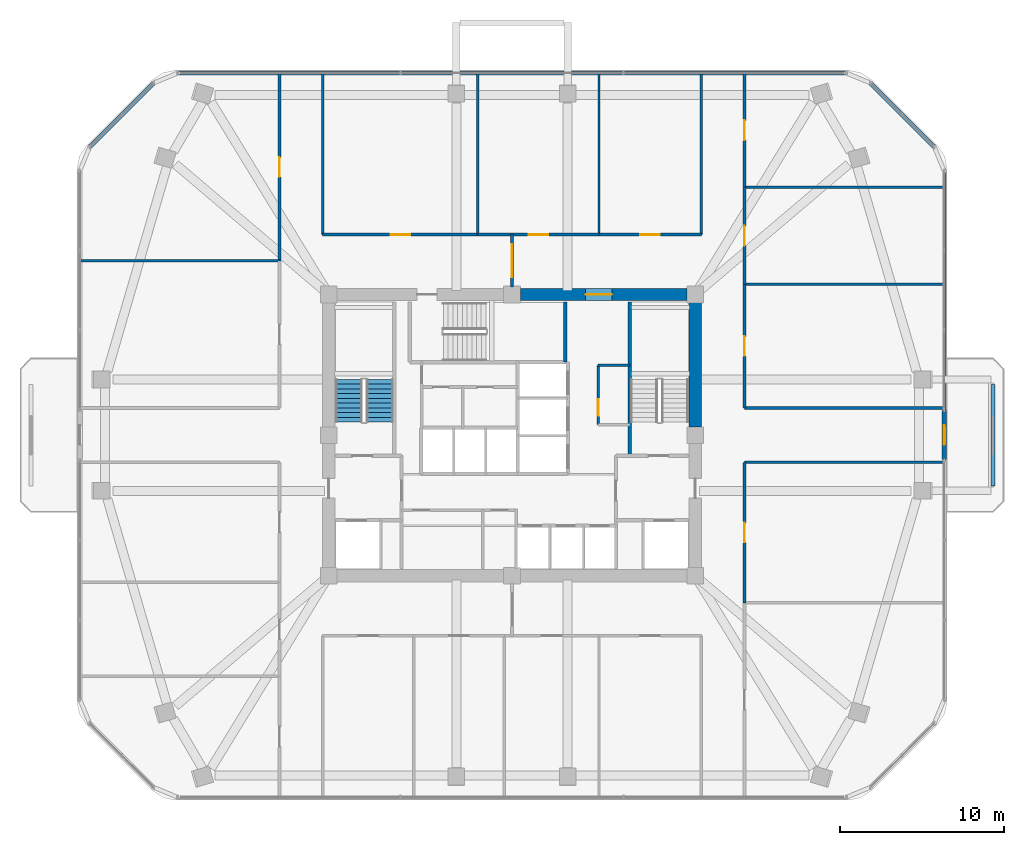
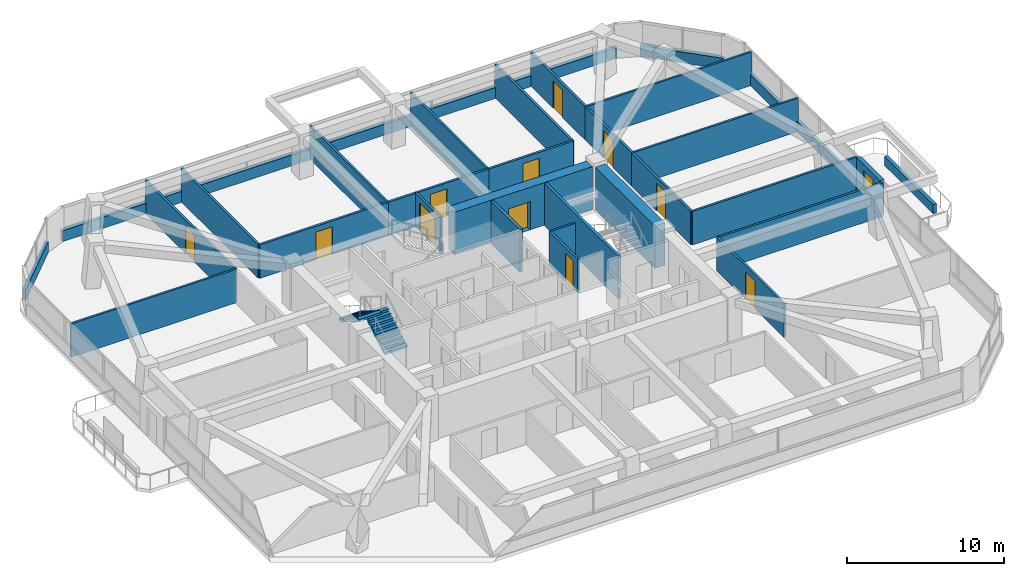
# One storey, part 12 of 15: 30 walls, 12 doors, 2 stair flights, 12 openings, 1 element without a shape of its own.
"""IFC4 building model written with IfcOpenShell, lengths in metres."""

from ifc_helpers import new_model, si_unit, derived_unit, direction, frame, frame_2d, origin, place, context, subcontext, project, spatial, polyline, rectangle, outline, extrude, material, layer, layer_set, type_object, element, fill, aggregate, save


model = new_model("IFC4")

# Units and contexts
model_context = context("Model", 3, precision=1e-05, world=origin(), true_north=direction((0.0, 1.0)))
body_context = subcontext(model_context, "Body", "Model", "MODEL_VIEW")
ifc_project = project(units=[si_unit("LENGTHUNIT", "METRE"), si_unit("AREAUNIT", "SQUARE_METRE"), si_unit("VOLUMEUNIT", "CUBIC_METRE"), si_unit("PLANEANGLEUNIT", "RADIAN"), si_unit("MASSUNIT", "GRAM", prefix="KILO"), derived_unit("THERMALTRANSMITTANCEUNIT", [(si_unit("POWERUNIT", "WATT"), 1), (si_unit("LENGTHUNIT", "METRE"), -2), (si_unit("THERMODYNAMICTEMPERATUREUNIT", "KELVIN"), -1)])], contexts=[model_context])

# Site, building, storey
site_placement = place(None, origin())
site = spatial("IfcSite", under=ifc_project, at=site_placement, CompositionType="ELEMENT")
building_placement = place(site_placement, origin())
building = spatial("IfcBuilding", under=site, at=building_placement, Name="Koralith Skygarden Medical Center", CompositionType="ELEMENT")
storey_placement = place(building_placement, frame((0.0, 0.0, 91.97998046875)))
storey = spatial("IfcBuildingStorey", under=building, at=storey_placement, Name="L23", CompositionType="ELEMENT", Elevation=91.97998046875)

# Wall, opening, door
ifc_material_1 = material(Name="Gypsum Board Partition")
ifc_layer_1 = layer(ifc_material_1, 0.14990234375)
ifc_layer_set_1 = layer_set([ifc_layer_1], Name="Gypsum Board Partition")
wall_type_1 = type_object("IfcWallType", Name="Clinical Acoustic Partition 150", PredefinedType="PARTITIONING", material=ifc_layer_set_1)
wall_1_placement = place(storey_placement, frame((42.27001953125, 26.5400390625, 0.0), z_axis=(0.0, 0.0, 1.0), x_axis=(0.0, 1.0, 0.0)))
wall_1 = element("IfcWall", 1, at=wall_1_placement, inside=storey, type_object=wall_type_1, Name="L23 Clinical Acoustic Partition 150 W-CORE-L23-ESUB-W", PredefinedType="PARTITIONING", context=body_context, shape_type="SweptSolid", body=[
    extrude(rectangle(XDim=3.619873046875, YDim=0.14990234375, at=frame_2d((1.81005859375, 0.0))), origin(), (0.0, 0.0, 1.0), 2.610107421875),
])
opening_1_placement = place(wall_1_placement, frame((0.550048828125, 0.0, 0.0)))
opening_1 = element("IfcOpeningElement", 2, at=opening_1_placement, cuts=wall_1, Name="Opening D-SUP", PredefinedType="OPENING", context=body_context, shape_type="SweptSolid", body=[
    extrude(rectangle(XDim=1.0, YDim=2.14990234375, at=frame_2d((0.5, 1.074951171875))), frame((0.0, 0.0849609375, 0.0), z_axis=(0.0, -1.0, 0.0), x_axis=(1.0, 0.0, 0.0)), (0.0, 0.0, 1.0), 0.169921875),
])
ifc_material_2 = material(Name="Aluminium 6063-T6", Category="aluminium")
door_type_1 = type_object("IfcDoorType", Name="Clinical Support Door D-SUP 1000", OperationType="NOTDEFINED", PredefinedType="DOOR", material=ifc_material_2)
door_1_placement = place(opening_1_placement, origin())
door_1 = element("IfcDoor", 3, at=door_1_placement, inside=storey, type_object=door_type_1, Name="L23 Core Equipment Store Door", OperationType="SINGLE_SWING_LEFT", OverallHeight=2.14990234375, OverallWidth=1.0, PredefinedType="DOOR", context=body_context, shape_type="SweptSolid", body=[
    extrude(rectangle(XDim=1.0, YDim=2.14990234375, at=frame_2d((0.5, 1.074951171875))), frame((0.0, 0.02490234375, 0.0), z_axis=(0.0, -1.0, 0.0), x_axis=(1.0, 0.0, 0.0)), (0.0, 0.0, 1.0), 0.050048828125),
])
fill(opening_1, door_1)

# Walls
wall_2_placement = place(storey_placement, frame((42.27001953125, 30.159912109375, 0.0), z_axis=(0.0, 0.0, 1.0), x_axis=(1.0, 0.0, 0.0)))
element("IfcWall", 4, at=wall_2_placement, inside=storey, type_object=wall_type_1, Name="L23 Clinical Acoustic Partition 150 W-CORE-L23-ESUB-N", PredefinedType="PARTITIONING", context=body_context, shape_type="SweptSolid", body=[
    extrude(rectangle(XDim=1.929931640625, YDim=0.14990234375, at=frame_2d((0.96484375, 0.0))), origin(), (0.0, 0.0, 1.0), 2.610107421875),
])
for number, where, z_axis, x_axis, name in (
    (5, (34.9189453125, 38.159912109375, 0.0), (0.0, 0.0, 1.0), (0.0, 1.0, 0.0), "L23 Clinical Acoustic Partition 150 W-PART-L23-N-01"),
    (6, (42.318115234375, 38.159912109375, 0.0), (0.0, 0.0, 1.0), (0.0, 1.0, 0.0), "L23 Clinical Acoustic Partition 150 W-PART-L23-N-02"),
):
    element("IfcWall", number, at=place(storey_placement, frame(where, z_axis=z_axis, x_axis=x_axis)), inside=storey, type_object=wall_type_1, Name=name, PredefinedType="PARTITIONING", context=body_context, shape_type="SweptSolid", body=[
        extrude(rectangle(XDim=9.85107421875, YDim=0.14990234375, at=frame_2d((4.925537109375, 0.0))), origin(), (0.0, 0.0, 1.0), 2.610107421875),
    ])
for number, where, z_axis, x_axis, name in (
    (7, (22.7900390625, 36.55810546875, 0.0), (0.0, 0.0, 1.0), (-1.0, 0.0, 0.0), "L23 Clinical Acoustic Partition 150 W-PART-L23-WN-01"),
    (8, (51.2099609375, 35.118896484375, 0.0), (0.0, 0.0, 1.0), (1.0, 0.0, 0.0), "L23 Clinical Acoustic Partition 150 W-PART-L23-EN-01"),
    (9, (51.2099609375, 41.05810546875, 0.0), (0.0, 0.0, 1.0), (1.0, 0.0, 0.0), "L23 Clinical Acoustic Partition 150 W-PART-L23-EN-02"),
):
    element("IfcWall", number, at=place(storey_placement, frame(where, z_axis=z_axis, x_axis=x_axis)), inside=storey, type_object=wall_type_1, Name=name, PredefinedType="PARTITIONING", context=body_context, shape_type="SweptSolid", body=[
        extrude(rectangle(XDim=12.18798828125, YDim=0.14990234375, at=frame_2d((6.093994140625, 0.0))), origin(), (0.0, 0.0, 1.0), 2.610107421875),
    ])
ifc_layer_2 = layer(ifc_material_1, 0.1650390625)
ifc_layer_set_2 = layer_set([ifc_layer_2], Name="Gypsum Board Partition")
wall_type_2 = type_object("IfcWallType", Name="Clinical Corridor Partition 165", PredefinedType="PARTITIONING", material=ifc_layer_set_2)
for number, where, z_axis, x_axis, name in (
    (10, (25.429931640625, 38.159912109375, 0.0), (0.0, 0.0, 1.0), (0.0, 1.0, 0.0), "L23 Clinical Corridor Partition 165 W-HCOR-L23-NW"),
    (11, (48.570068359375, 38.159912109375, 0.0), (0.0, 0.0, 1.0), (0.0, 1.0, 0.0), "L23 Clinical Corridor Partition 165 W-HCOR-L23-NE"),
):
    element("IfcWall", number, at=place(storey_placement, frame(where, z_axis=z_axis, x_axis=x_axis)), inside=storey, type_object=wall_type_2, Name=name, PredefinedType="PARTITIONING", context=body_context, shape_type="SweptSolid", body=[
        extrude(rectangle(XDim=9.85107421875, YDim=0.1650390625, at=frame_2d((4.925537109375, 0.0))), origin(), (0.0, 0.0, 1.0), 2.610107421875),
    ])
for number, where, z_axis, x_axis, name in (
    (12, (51.2099609375, 24.239990234375, 0.0), (0.0, 0.0, 1.0), (1.0, 0.0, 0.0), "L23 Clinical Corridor Partition 165 W-HCOR-L23-EWS-E"),
    (13, (51.2099609375, 27.56005859375, 0.0), (0.0, 0.0, 1.0), (1.0, 0.0, 0.0), "L23 Clinical Corridor Partition 165 W-HCOR-L23-EWN-E"),
):
    element("IfcWall", number, at=place(storey_placement, frame(where, z_axis=z_axis, x_axis=x_axis)), inside=storey, type_object=wall_type_2, Name=name, PredefinedType="PARTITIONING", context=body_context, shape_type="SweptSolid", body=[
        extrude(rectangle(XDim=12.18798828125, YDim=0.1650390625, at=frame_2d((6.093994140625, 0.0))), origin(), (0.0, 0.0, 1.0), 2.610107421875),
    ])

# Wall, opening, door
wall_3_placement = place(storey_placement, frame((25.429931640625, 38.159912109375, 0.0), z_axis=(0.0, 0.0, 1.0), x_axis=(1.0, 0.0, 0.0)))
wall_3 = element("IfcWall", 14, at=wall_3_placement, inside=storey, type_object=wall_type_2, Name="L23 Clinical Corridor Partition 165 W-CORR-L23-N-01", PredefinedType="PARTITIONING", context=body_context, shape_type="SweptSolid", body=[
    extrude(rectangle(XDim=9.489013671875, YDim=0.1650390625, at=frame_2d((4.74462890625, 0.0))), origin(), (0.0, 0.0, 1.0), 2.610107421875),
])
opening_2_placement = place(wall_3_placement, frame((4.14404296875, 0.0, 0.0)))
opening_2 = element("IfcOpeningElement", 15, at=opening_2_placement, cuts=wall_3, Name="Opening D-CLN", PredefinedType="OPENING", context=body_context, shape_type="SweptSolid", body=[
    extrude(rectangle(XDim=1.199951171875, YDim=2.14990234375, at=frame_2d((0.60009765625, 1.074951171875))), frame((0.0, 0.092529296875, 0.0), z_axis=(0.0, -1.0, 0.0), x_axis=(1.0, 0.0, 0.0)), (0.0, 0.0, 1.0), 0.18505859375),
])
door_type_2 = type_object("IfcDoorType", Name="Clinical Corridor Door D-CLN 1200", OperationType="NOTDEFINED", PredefinedType="DOOR", material=ifc_material_2)
door_2_placement = place(opening_2_placement, origin())
door_2 = element("IfcDoor", 16, at=door_2_placement, inside=storey, type_object=door_type_2, Name="L23 Sterile Instrument Sub-Store 01 Door", OperationType="SINGLE_SWING_RIGHT", OverallHeight=2.14990234375, OverallWidth=1.199951171875, PredefinedType="DOOR", context=body_context, shape_type="SweptSolid", body=[
    extrude(rectangle(XDim=1.199951171875, YDim=2.14990234375, at=frame_2d((0.60009765625, 1.074951171875))), frame((0.0, 0.02490234375, 0.0), z_axis=(0.0, -1.0, 0.0), x_axis=(1.0, 0.0, 0.0)), (0.0, 0.0, 1.0), 0.050048828125),
])
fill(opening_2, door_2)

wall_4_placement = place(storey_placement, frame((34.9189453125, 38.159912109375, 0.0), z_axis=(0.0, 0.0, 1.0), x_axis=(1.0, 0.0, 0.0)))
wall_4 = element("IfcWall", 17, at=wall_4_placement, inside=storey, type_object=wall_type_2, Name="L23 Clinical Corridor Partition 165 W-CORR-L23-N-02", PredefinedType="PARTITIONING", context=body_context, shape_type="SweptSolid", body=[
    extrude(rectangle(XDim=7.399169921875, YDim=0.1650390625, at=frame_2d((3.69970703125, 0.0))), origin(), (0.0, 0.0, 1.0), 2.610107421875),
])
opening_3_placement = place(wall_4_placement, frame((3.10009765625, 0.0, 0.0)))
opening_3 = element("IfcOpeningElement", 18, at=opening_3_placement, cuts=wall_4, Name="Opening D-CLN", PredefinedType="OPENING", context=body_context, shape_type="SweptSolid", body=[
    extrude(rectangle(XDim=1.199951171875, YDim=2.14990234375, at=frame_2d((0.60009765625, 1.074951171875))), frame((0.0, 0.092529296875, 0.0), z_axis=(0.0, -1.0, 0.0), x_axis=(1.0, 0.0, 0.0)), (0.0, 0.0, 1.0), 0.18505859375),
])
door_3_placement = place(opening_3_placement, origin())
door_3 = element("IfcDoor", 19, at=door_3_placement, inside=storey, type_object=door_type_2, Name="L23 Orthopaedic Splint Supply Store 02 Door", OperationType="SINGLE_SWING_LEFT", OverallHeight=2.14990234375, OverallWidth=1.199951171875, PredefinedType="DOOR", context=body_context, shape_type="SweptSolid", body=[
    extrude(rectangle(XDim=1.199951171875, YDim=2.14990234375, at=frame_2d((0.60009765625, 1.074951171875))), frame((0.0, 0.02490234375, 0.0), z_axis=(0.0, -1.0, 0.0), x_axis=(1.0, 0.0, 0.0)), (0.0, 0.0, 1.0), 0.050048828125),
])
fill(opening_3, door_3)

wall_5_placement = place(storey_placement, frame((42.318115234375, 38.159912109375, 0.0), z_axis=(0.0, 0.0, 1.0), x_axis=(1.0, 0.0, 0.0)))
wall_5 = element("IfcWall", 20, at=wall_5_placement, inside=storey, type_object=wall_type_2, Name="L23 Clinical Corridor Partition 165 W-CORR-L23-N-03", PredefinedType="PARTITIONING", context=body_context, shape_type="SweptSolid", body=[
    extrude(rectangle(XDim=6.251953125, YDim=0.1650390625, at=frame_2d((3.1259765625, 0.0))), origin(), (0.0, 0.0, 1.0), 2.610107421875),
])
opening_4_placement = place(wall_5_placement, frame((2.52587890625, 0.0, 0.0)))
opening_4 = element("IfcOpeningElement", 21, at=opening_4_placement, cuts=wall_5, Name="Opening D-CLN", PredefinedType="OPENING", context=body_context, shape_type="SweptSolid", body=[
    extrude(rectangle(XDim=1.199951171875, YDim=2.14990234375, at=frame_2d((0.60009765625, 1.074951171875))), frame((0.0, 0.092529296875, 0.0), z_axis=(0.0, -1.0, 0.0), x_axis=(1.0, 0.0, 0.0)), (0.0, 0.0, 1.0), 0.18505859375),
])
door_4_placement = place(opening_4_placement, origin())
door_4 = element("IfcDoor", 22, at=door_4_placement, inside=storey, type_object=door_type_2, Name="L23 Cast and Dressing Treatment Room 03 Door", OperationType="SINGLE_SWING_RIGHT", OverallHeight=2.14990234375, OverallWidth=1.199951171875, PredefinedType="DOOR", context=body_context, shape_type="SweptSolid", body=[
    extrude(rectangle(XDim=1.199951171875, YDim=2.14990234375, at=frame_2d((0.60009765625, 1.074951171875))), frame((0.0, 0.02490234375, 0.0), z_axis=(0.0, -1.0, 0.0), x_axis=(1.0, 0.0, 0.0)), (0.0, 0.0, 1.0), 0.050048828125),
])
fill(opening_4, door_4)

wall_6_placement = place(storey_placement, frame((22.7900390625, 36.55810546875, 0.0), z_axis=(0.0, 0.0, 1.0), x_axis=(0.0, 1.0, 0.0)))
wall_6 = element("IfcWall", 23, at=wall_6_placement, inside=storey, type_object=wall_type_2, Name="L23 Clinical Corridor Partition 165 W-CORR-L23-WN-02", PredefinedType="PARTITIONING", context=body_context, shape_type="SweptSolid", body=[
    extrude(rectangle(XDim=11.452880859375, YDim=0.1650390625, at=frame_2d((5.7265625, 0.0))), origin(), (0.0, 0.0, 1.0), 2.610107421875),
])
opening_5_placement = place(wall_6_placement, frame((5.126953125, 0.0, 0.0)))
opening_5 = element("IfcOpeningElement", 24, at=opening_5_placement, cuts=wall_6, Name="Opening D-CLN", PredefinedType="OPENING", context=body_context, shape_type="SweptSolid", body=[
    extrude(rectangle(XDim=1.199951171875, YDim=2.14990234375, at=frame_2d((0.60009765625, 1.074951171875))), frame((0.0, 0.092529296875, 0.0), z_axis=(0.0, -1.0, 0.0), x_axis=(1.0, 0.0, 0.0)), (0.0, 0.0, 1.0), 0.18505859375),
])
door_5_placement = place(opening_5_placement, frame((1.199951171875, 0.0, 0.0), z_axis=(0.0, 0.0, 1.0), x_axis=(-1.0, 0.0, 0.0)))
door_5 = element("IfcDoor", 25, at=door_5_placement, inside=storey, type_object=door_type_2, Name="L23 Surgical Follow-Up Office 12 Door", OperationType="SINGLE_SWING_LEFT", OverallHeight=2.14990234375, OverallWidth=1.199951171875, PredefinedType="DOOR", context=body_context, shape_type="SweptSolid", body=[
    extrude(rectangle(XDim=1.199951171875, YDim=2.14990234375, at=frame_2d((0.60009765625, 1.074951171875))), frame((0.0, 0.02490234375, 0.0), z_axis=(0.0, -1.0, 0.0), x_axis=(1.0, 0.0, 0.0)), (0.0, 0.0, 1.0), 0.050048828125),
])
fill(opening_5, door_5)

wall_7_placement = place(storey_placement, frame((51.2099609375, 15.64990234375, 0.0), z_axis=(0.0, 0.0, 1.0), x_axis=(0.0, 1.0, 0.0)))
wall_7 = element("IfcWall", 26, at=wall_7_placement, inside=storey, type_object=wall_type_2, Name="L23 Clinical Corridor Partition 165 W-CORR-L23-ES-02", PredefinedType="PARTITIONING", context=body_context, shape_type="SweptSolid", body=[
    extrude(rectangle(XDim=8.590087890625, YDim=0.1650390625, at=frame_2d((4.294921875, 0.0))), origin(), (0.0, 0.0, 1.0), 2.610107421875),
])
opening_6_placement = place(wall_7_placement, frame((3.695068359375, 0.0, 0.0)))
opening_6 = element("IfcOpeningElement", 27, at=opening_6_placement, cuts=wall_7, Name="Opening D-CLN", PredefinedType="OPENING", context=body_context, shape_type="SweptSolid", body=[
    extrude(rectangle(XDim=1.199951171875, YDim=2.14990234375, at=frame_2d((0.60009765625, 1.074951171875))), frame((0.0, 0.092529296875, 0.0), z_axis=(0.0, -1.0, 0.0), x_axis=(1.0, 0.0, 0.0)), (0.0, 0.0, 1.0), 0.18505859375),
])
door_6_placement = place(opening_6_placement, origin())
door_6 = element("IfcDoor", 28, at=door_6_placement, inside=storey, type_object=door_type_2, Name="L23 Orthopaedic Splint Supply Store 14 Door", OperationType="SINGLE_SWING_LEFT", OverallHeight=2.14990234375, OverallWidth=1.199951171875, PredefinedType="DOOR", context=body_context, shape_type="SweptSolid", body=[
    extrude(rectangle(XDim=1.199951171875, YDim=2.14990234375, at=frame_2d((0.60009765625, 1.074951171875))), frame((0.0, 0.02490234375, 0.0), z_axis=(0.0, -1.0, 0.0), x_axis=(1.0, 0.0, 0.0)), (0.0, 0.0, 1.0), 0.050048828125),
])
fill(opening_6, door_6)

wall_8_placement = place(storey_placement, frame((51.2099609375, 27.56005859375, 0.0), z_axis=(0.0, 0.0, 1.0), x_axis=(0.0, 1.0, 0.0)))
wall_8 = element("IfcWall", 29, at=wall_8_placement, inside=storey, type_object=wall_type_2, Name="L23 Clinical Corridor Partition 165 W-CORR-L23-EN-01", PredefinedType="PARTITIONING", context=body_context, shape_type="SweptSolid", body=[
    extrude(rectangle(XDim=7.558837890625, YDim=0.1650390625, at=frame_2d((3.779296875, 0.0))), origin(), (0.0, 0.0, 1.0), 2.610107421875),
])
opening_7_placement = place(wall_8_placement, frame((3.179931640625, 0.0, 0.0)))
opening_7 = element("IfcOpeningElement", 30, at=opening_7_placement, cuts=wall_8, Name="Opening D-CLN", PredefinedType="OPENING", context=body_context, shape_type="SweptSolid", body=[
    extrude(rectangle(XDim=1.199951171875, YDim=2.14990234375, at=frame_2d((0.60009765625, 1.074951171875))), frame((0.0, 0.092529296875, 0.0), z_axis=(0.0, -1.0, 0.0), x_axis=(1.0, 0.0, 0.0)), (0.0, 0.0, 1.0), 0.18505859375),
])
door_7_placement = place(opening_7_placement, origin())
door_7 = element("IfcDoor", 31, at=door_7_placement, inside=storey, type_object=door_type_2, Name="L23 Cast and Dressing Treatment Room 15 Door", OperationType="SINGLE_SWING_RIGHT", OverallHeight=2.14990234375, OverallWidth=1.199951171875, PredefinedType="DOOR", context=body_context, shape_type="SweptSolid", body=[
    extrude(rectangle(XDim=1.199951171875, YDim=2.14990234375, at=frame_2d((0.60009765625, 1.074951171875))), frame((0.0, 0.02490234375, 0.0), z_axis=(0.0, -1.0, 0.0), x_axis=(1.0, 0.0, 0.0)), (0.0, 0.0, 1.0), 0.050048828125),
])
fill(opening_7, door_7)

wall_9_placement = place(storey_placement, frame((51.2099609375, 35.118896484375, 0.0), z_axis=(0.0, 0.0, 1.0), x_axis=(0.0, 1.0, 0.0)))
wall_9 = element("IfcWall", 32, at=wall_9_placement, inside=storey, type_object=wall_type_2, Name="L23 Clinical Corridor Partition 165 W-CORR-L23-EN-02", PredefinedType="PARTITIONING", context=body_context, shape_type="SweptSolid", body=[
    extrude(rectangle(XDim=5.939208984375, YDim=0.1650390625, at=frame_2d((2.9697265625, 0.0))), origin(), (0.0, 0.0, 1.0), 2.610107421875),
])
opening_8_placement = place(wall_9_placement, frame((2.368896484375, 0.0, 0.0)))
opening_8 = element("IfcOpeningElement", 33, at=opening_8_placement, cuts=wall_9, Name="Opening D-CLN", PredefinedType="OPENING", context=body_context, shape_type="SweptSolid", body=[
    extrude(rectangle(XDim=1.199951171875, YDim=2.14990234375, at=frame_2d((0.60009765625, 1.074951171875))), frame((0.0, 0.092529296875, 0.0), z_axis=(0.0, -1.0, 0.0), x_axis=(1.0, 0.0, 0.0)), (0.0, 0.0, 1.0), 0.18505859375),
])
door_8_placement = place(opening_8_placement, origin())
door_8 = element("IfcDoor", 34, at=door_8_placement, inside=storey, type_object=door_type_2, Name="L23 Surgical Follow-Up Office 16 Door", OperationType="SINGLE_SWING_LEFT", OverallHeight=2.14990234375, OverallWidth=1.199951171875, PredefinedType="DOOR", context=body_context, shape_type="SweptSolid", body=[
    extrude(rectangle(XDim=1.199951171875, YDim=2.14990234375, at=frame_2d((0.60009765625, 1.074951171875))), frame((0.0, 0.02490234375, 0.0), z_axis=(0.0, -1.0, 0.0), x_axis=(1.0, 0.0, 0.0)), (0.0, 0.0, 1.0), 0.050048828125),
])
fill(opening_8, door_8)

wall_10_placement = place(storey_placement, frame((51.2099609375, 41.05810546875, 0.0), z_axis=(0.0, 0.0, 1.0), x_axis=(0.0, 1.0, 0.0)))
wall_10 = element("IfcWall", 35, at=wall_10_placement, inside=storey, type_object=wall_type_2, Name="L23 Clinical Corridor Partition 165 W-CORR-L23-EN-03", PredefinedType="PARTITIONING", context=body_context, shape_type="SweptSolid", body=[
    extrude(rectangle(XDim=6.952880859375, YDim=0.1650390625, at=frame_2d((3.4765625, 0.0))), origin(), (0.0, 0.0, 1.0), 2.610107421875),
])
opening_9_placement = place(wall_10_placement, frame((2.876953125, 0.0, 0.0)))
opening_9 = element("IfcOpeningElement", 36, at=opening_9_placement, cuts=wall_10, Name="Opening D-CLN", PredefinedType="OPENING", context=body_context, shape_type="SweptSolid", body=[
    extrude(rectangle(XDim=1.199951171875, YDim=2.14990234375, at=frame_2d((0.60009765625, 1.074951171875))), frame((0.0, 0.092529296875, 0.0), z_axis=(0.0, -1.0, 0.0), x_axis=(1.0, 0.0, 0.0)), (0.0, 0.0, 1.0), 0.18505859375),
])
door_9_placement = place(opening_9_placement, origin())
door_9 = element("IfcDoor", 37, at=door_9_placement, inside=storey, type_object=door_type_2, Name="L23 Sterile Instrument Sub-Store 17 Door", OperationType="SINGLE_SWING_RIGHT", OverallHeight=2.14990234375, OverallWidth=1.199951171875, PredefinedType="DOOR", context=body_context, shape_type="SweptSolid", body=[
    extrude(rectangle(XDim=1.199951171875, YDim=2.14990234375, at=frame_2d((0.60009765625, 1.074951171875))), frame((0.0, 0.02490234375, 0.0), z_axis=(0.0, -1.0, 0.0), x_axis=(1.0, 0.0, 0.0)), (0.0, 0.0, 1.0), 0.050048828125),
])
fill(opening_9, door_9)

ifc_layer_3 = layer(ifc_material_1, 0.179931640625)
ifc_layer_set_3 = layer_set([ifc_layer_3], Name="Gypsum Board Partition")
wall_type_3 = type_object("IfcWallType", Name="Group I-2 Smoke Barrier Wall 180", PredefinedType="PARTITIONING", material=ifc_layer_set_3)
wall_11_placement = place(storey_placement, frame((37.0, 34.949951171875, 0.0), z_axis=(0.0, 0.0, 1.0), x_axis=(0.0, 1.0, 0.0)))
wall_11 = element("IfcWall", 38, at=wall_11_placement, inside=storey, type_object=wall_type_3, Name="L23 Group I-2 Smoke Barrier Wall 180 W-SMK-L23-N", PredefinedType="PARTITIONING", context=body_context, shape_type="SweptSolid", body=[
    extrude(rectangle(XDim=3.2099609375, YDim=0.179931640625, at=frame_2d((1.60498046875, 0.0))), origin(), (0.0, 0.0, 1.0), 2.610107421875),
])
opening_10_placement = place(wall_11_placement, frame((0.60498046875, 0.0, 0.0)))
opening_10 = element("IfcOpeningElement", 39, at=opening_10_placement, cuts=wall_11, Name="Opening D-SMK", PredefinedType="OPENING", context=body_context, shape_type="SweptSolid", body=[
    extrude(rectangle(XDim=2.0, YDim=2.199951171875, at=frame_2d((1.0, 1.10009765625))), frame((0.0, 0.099853515625, 0.0), z_axis=(0.0, -1.0, 0.0), x_axis=(1.0, 0.0, 0.0)), (0.0, 0.0, 1.0), 0.199951171875),
])
ifc_material_3 = material(Name="Steel ASTM A500 Grade C", Category="steel")
door_type_3 = type_object("IfcDoorType", Name="Cross-Corridor Double Smoke Door FD60S 2000", OperationType="NOTDEFINED", PredefinedType="DOOR", material=ifc_material_3)
door_10_placement = place(opening_10_placement, origin())
door_10 = element("IfcDoor", 40, at=door_10_placement, inside=storey, type_object=door_type_3, Name="L23 N Smoke Compartment Cross-Corridor Door", OperationType="DOUBLE_DOOR_SINGLE_SWING", OverallHeight=2.199951171875, OverallWidth=2.0, PredefinedType="DOOR", context=body_context, shape_type="SweptSolid", body=[
    extrude(rectangle(XDim=2.0, YDim=2.199951171875, at=frame_2d((1.0, 1.10009765625))), frame((0.0, 0.02490234375, 0.0), z_axis=(0.0, -1.0, 0.0), x_axis=(1.0, 0.0, 0.0)), (0.0, 0.0, 1.0), 0.050048828125),
])
fill(opening_10, door_10)

# Walls
ifc_material_4 = material(Name="Warm Oolitic Limestone Cladding", Category="masonry")
ifc_layer_4 = layer(ifc_material_4, 0.239990234375)
ifc_layer_set_4 = layer_set([ifc_layer_4], Name="Warm Oolitic Limestone Cladding")
wall_type_4 = type_object("IfcWallType", Name="Limestone Spandrel Sill Backup Wall 240", PredefinedType="SOLIDWALL", material=ifc_layer_set_4)
wall_12_placement = place(storey_placement, frame((63.41796875, 27.43994140625, 0.0), z_axis=(0.0, 0.0, 1.0), x_axis=(0.0, 1.0, 0.0)))
element("IfcWall", 41, at=wall_12_placement, inside=storey, type_object=wall_type_4, Name="L23 Sill Spandrel E-R", PredefinedType="SOLIDWALL", context=body_context, shape_type="SweptSolid", body=[
    extrude(rectangle(XDim=14.615966796875, YDim=0.239990234375, at=frame_2d((7.30810546875, 0.0))), origin(), (0.0, 0.0, 1.0), 0.85009765625),
])
wall_13_placement = place(storey_placement, frame((62.81591796875, 43.507080078125, 0.0), z_axis=(0.0, 0.0, 1.0), x_axis=(-0.707106781187, 0.707106781187, 0.0)))
element("IfcWall", 42, at=wall_13_placement, inside=storey, type_object=wall_type_4, Name="L23 Sill Spandrel NE", PredefinedType="SOLIDWALL", context=body_context, shape_type="SweptSolid", body=[
    extrude(rectangle(XDim=5.5478515625, YDim=0.239990234375, at=frame_2d((2.77392578125, 0.0))), origin(), (0.0, 0.0, 1.0), 0.85009765625),
])
wall_14_placement = place(storey_placement, frame((57.44189453125, 48.031005859375, 0.0), z_axis=(0.0, 0.0, 1.0), x_axis=(-1.0, 0.0, 0.0)))
element("IfcWall", 43, at=wall_14_placement, inside=storey, type_object=wall_type_4, Name="L23 Sill Spandrel N", PredefinedType="SOLIDWALL", context=body_context, shape_type="SweptSolid", body=[
    extrude(rectangle(XDim=40.8837890625, YDim=0.239990234375, at=frame_2d((20.44189453125, 0.0))), origin(), (0.0, 0.0, 1.0), 0.85009765625),
])
wall_15_placement = place(storey_placement, frame((15.10693359375, 47.429931640625, 0.0), z_axis=(0.0, 0.0, 1.0), x_axis=(-0.707106781187, -0.707106781187, 0.0)))
element("IfcWall", 44, at=wall_15_placement, inside=storey, type_object=wall_type_4, Name="L23 Sill Spandrel NW", PredefinedType="SOLIDWALL", context=body_context, shape_type="SweptSolid", body=[
    extrude(rectangle(XDim=5.5478515625, YDim=0.239990234375, at=frame_2d((2.77392578125, 0.0))), origin(), (0.0, 0.0, 1.0), 0.85009765625),
])
ifc_material_5 = material(Name="Concrete C70/85", Category="concrete")
ifc_layer_5 = layer(ifc_material_5, 0.75)
ifc_layer_set_5 = layer_set([ifc_layer_5], Name="Concrete C70/85")
wall_type_5 = type_object("IfcWallType", Name="Mid Core Shear Wall 750", PredefinedType="SHEAR", material=ifc_layer_set_5)
wall_16_placement = place(storey_placement, frame((48.199951171875, 26.405029296875, 0.0), z_axis=(0.0, 0.0, 1.0), x_axis=(0.0, 1.0, 0.0)))
element("IfcWall", 45, at=wall_16_placement, inside=storey, type_object=wall_type_5, Name="L23 Core Shear Wall Segment 4", PredefinedType="SHEAR", context=body_context, shape_type="SweptSolid", body=[
    extrude(rectangle(XDim=7.590087890625, YDim=0.75, at=frame_2d((3.794921875, 0.0))), origin(), (0.0, 0.0, 1.0), 3.320068359375),
])

# Wall, opening, door
wall_17_placement = place(storey_placement, frame((47.695068359375, 34.5, 0.0), z_axis=(0.0, 0.0, 1.0), x_axis=(-1.0, 0.0, 0.0)))
wall_17 = element("IfcWall", 46, at=wall_17_placement, inside=storey, type_object=wall_type_5, Name="L23 Core Shear Wall Segment 5", PredefinedType="SHEAR", context=body_context, shape_type="SweptSolid", body=[
    extrude(rectangle(XDim=10.190185546875, YDim=0.75, at=frame_2d((5.09521484375, 0.0))), origin(), (0.0, 0.0, 1.0), 3.320068359375),
])
opening_11_placement = place(wall_17_placement, frame((4.594970703125, 0.0, 0.0)))
opening_11 = element("IfcOpeningElement", 47, at=opening_11_placement, cuts=wall_17, Name="Opening D-DBL", PredefinedType="OPENING", context=body_context, shape_type="SweptSolid", body=[
    extrude(rectangle(XDim=1.60009765625, YDim=2.199951171875, at=frame_2d((0.800048828125, 1.10009765625))), frame((0.0, 0.385009765625, 0.0), z_axis=(0.0, -1.0, 0.0), x_axis=(1.0, 0.0, 0.0)), (0.0, 0.0, 1.0), 0.77001953125),
])
door_type_4 = type_object("IfcDoorType", Name="Double Clinical Suite Door D-DBL 1600", OperationType="NOTDEFINED", PredefinedType="DOOR", material=ifc_material_2)
door_11_placement = place(opening_11_placement, frame((1.60009765625, 0.0, 0.0), z_axis=(0.0, 0.0, 1.0), x_axis=(-1.0, 0.0, 0.0)))
door_11 = element("IfcDoor", 48, at=door_11_placement, inside=storey, type_object=door_type_4, Name="L23 North-East Corridor to Elevator Lobby Door", OperationType="DOUBLE_DOOR_SINGLE_SWING", OverallHeight=2.199951171875, OverallWidth=1.60009765625, PredefinedType="DOOR", context=body_context, shape_type="SweptSolid", body=[
    extrude(rectangle(XDim=1.60009765625, YDim=2.199951171875, at=frame_2d((0.800048828125, 1.10009765625))), frame((0.0, 0.02490234375, 0.0), z_axis=(0.0, -1.0, 0.0), x_axis=(1.0, 0.0, 0.0)), (0.0, 0.0, 1.0), 0.050048828125),
])
fill(opening_11, door_11)

ifc_layer_6 = layer(ifc_material_4, 0.300048828125)
ifc_layer_set_6 = layer_set([ifc_layer_6], Name="Warm Oolitic Limestone Cladding")
wall_type_6 = type_object("IfcWallType", Name="Oolitic Limestone Insulated Facade Wall 300", PredefinedType="SOLIDWALL", material=ifc_layer_set_6)
wall_18_placement = place(storey_placement, frame((63.41796875, 24.39990234375, 0.0), z_axis=(0.0, 0.0, 1.0), x_axis=(0.0, 1.0, 0.0)))
wall_18 = element("IfcWall", 49, at=wall_18_placement, inside=storey, type_object=wall_type_6, Name="L23 Terrace Portal Wall E", PredefinedType="SOLIDWALL", context=body_context, shape_type="SweptSolid", body=[
    extrude(rectangle(XDim=3.0, YDim=0.300048828125, at=frame_2d((1.5, 0.0))), origin(), (0.0, 0.0, 1.0), 2.669921875),
])
opening_12_placement = place(wall_18_placement, frame((0.89990234375, 0.0, 0.0)))
opening_12 = element("IfcOpeningElement", 50, at=opening_12_placement, cuts=wall_18, Name="Opening D-BAL", PredefinedType="OPENING", context=body_context, shape_type="SweptSolid", body=[
    extrude(rectangle(XDim=1.199951171875, YDim=2.199951171875, at=frame_2d((0.60009765625, 1.10009765625))), frame((0.0, 0.159912109375, 0.0), z_axis=(0.0, -1.0, 0.0), x_axis=(1.0, 0.0, 0.0)), (0.0, 0.0, 1.0), 0.320068359375),
])
door_type_5 = type_object("IfcDoorType", Name="Planted Balcony Glazed Terrace Door D-BAL 1200", OperationType="NOTDEFINED", PredefinedType="DOOR", material=ifc_material_2)
door_12_placement = place(opening_12_placement, origin())
door_12 = element("IfcDoor", 51, at=door_12_placement, inside=storey, type_object=door_type_5, Name="L23 E Outdoor Terrace Access Door", OperationType="SINGLE_SWING_RIGHT", OverallHeight=2.199951171875, OverallWidth=1.199951171875, PredefinedType="DOOR", context=body_context, shape_type="SweptSolid", body=[
    extrude(rectangle(XDim=1.199951171875, YDim=2.199951171875, at=frame_2d((0.60009765625, 1.10009765625))), frame((0.0, 0.02490234375, 0.0), z_axis=(0.0, -1.0, 0.0), x_axis=(1.0, 0.0, 0.0)), (0.0, 0.0, 1.0), 0.050048828125),
])
fill(opening_12, door_12)

# Walls
ifc_material_6 = material(Name="Precast concrete C40/50", Category="concrete")
ifc_layer_7 = layer(ifc_material_6, 0.25)
ifc_layer_set_7 = layer_set([ifc_layer_7], Name="Precast concrete C40/50")
wall_type_7 = type_object("IfcWallType", Name="Structural Concrete Balcony Planter Kerb 250", PredefinedType="PARAPET", material=ifc_layer_set_7)
wall_19_placement = place(storey_placement, frame((66.39697265625, 22.800048828125, 0.0), z_axis=(0.0, 0.0, 1.0), x_axis=(0.0, 1.0, 0.0)))
element("IfcWall", 52, at=wall_19_placement, inside=storey, type_object=wall_type_7, Name="L23 E Structural Tree PLANTER Box", PredefinedType="PARAPET", context=body_context, shape_type="SweptSolid", body=[
    extrude(rectangle(XDim=6.199951171875, YDim=0.25, at=frame_2d((3.10009765625, 0.0))), origin(), (0.0, 0.0, 1.0), 0.719970703125),
])
ifc_material_7 = material(Name="Concrete C45/55", Category="concrete")
ifc_layer_8 = layer(ifc_material_7, 0.199951171875)
ifc_layer_set_8 = layer_set([ifc_layer_8], Name="Concrete C45/55")
wall_type_8 = type_object("IfcWallType", Name="Structural Stair Shaft Wall 200", PredefinedType="SHEAR", material=ifc_layer_set_8)
wall_20_placement = place(storey_placement, frame((44.199951171875, 24.64990234375, 0.0), z_axis=(0.0, 0.0, 1.0), x_axis=(0.0, 1.0, 0.0)))
element("IfcWall", 53, at=wall_20_placement, inside=storey, type_object=wall_type_8, Name="L23 Structural Stair Shaft Wall 200 W-CORE-L23-ST2-W", PredefinedType="SHEAR", context=body_context, shape_type="SweptSolid", body=[
    extrude(rectangle(XDim=9.400146484375, YDim=0.199951171875, at=frame_2d((4.7001953125, 0.0))), origin(), (0.0, 0.0, 1.0), 3.320068359375),
])
wall_21_placement = place(storey_placement, frame((40.25, 30.360107421875, 0.0), z_axis=(0.0, 0.0, 1.0), x_axis=(0.0, 1.0, 0.0)))
element("IfcWall", 54, at=wall_21_placement, inside=storey, type_object=wall_type_8, Name="L23 Structural Stair Shaft Wall 200 W-CORE-L23-ST3-E", PredefinedType="SHEAR", context=body_context, shape_type="SweptSolid", body=[
    extrude(rectangle(XDim=3.68994140625, YDim=0.199951171875, at=frame_2d((1.844970703125, 0.0))), origin(), (0.0, 0.0, 1.0), 3.320068359375),
])

# Stair, stair flights
stair_type = type_object("IfcStairType", Name="Core Exit Dogleg Concrete Stair", PredefinedType="HALF_TURN_STAIR", material=ifc_material_7)
stair_placement = place(storey_placement, origin())
stair = element("IfcStair", 55, at=stair_placement, inside=storey, type_object=stair_type, Name="L23 Smokeproof Exit Stair ST1", PredefinedType="HALF_TURN_STAIR")
stair_flight_type = type_object("IfcStairFlightType", Name="Core Exit Concrete Stair Flight 1650", PredefinedType="STRAIGHT", material=ifc_material_7)
stair_flight_1_placement = place(storey_placement, frame((28.925048828125, 26.699951171875, 0.0), z_axis=(0.0, 0.0, 1.0), x_axis=(0.0, 1.0, 0.0)))
stair_flight_1 = element("IfcStairFlight", 56, at=stair_flight_1_placement, type_object=stair_flight_type, Name="ST1 flight 1", NumberOfRisers=10, NumberOfTreads=9, PredefinedType="STRAIGHT", RiserHeight=0.18, TreadLength=0.29, context=body_context, shape_type="SweptSolid", body=[
    extrude(outline(polyline([(0.0, 0.0), (0.0, 0.179931640625), (0.2900390625, 0.179931640625), (0.2900390625, 0.360107421875), (0.580078125, 0.360107421875), (0.580078125, 0.5400390625), (0.8701171875, 0.5400390625), (0.8701171875, 0.719970703125), (1.159912109375, 0.719970703125), (1.159912109375, 0.89990234375), (1.449951171875, 0.89990234375), (1.449951171875, 1.080078125), (1.739990234375, 1.080078125), (1.739990234375, 1.260009765625), (2.030029296875, 1.260009765625), (2.030029296875, 1.43994140625), (2.320068359375, 1.43994140625), (2.320068359375, 1.6201171875), (2.610107421875, 1.6201171875), (2.610107421875, 1.800048828125), (2.610107421875, 1.443603515625), (0.2841796875, 0.0), (0.0, 0.0)])), frame((0.0, 0.824951171875, 0.0), z_axis=(0.0, -1.0, 0.0), x_axis=(1.0, 0.0, 0.0)), (0.0, 0.0, 1.0), 1.64990234375),
])
stair_flight_2_placement = place(storey_placement, frame((27.02490234375, 29.31005859375, 1.800048828125), z_axis=(0.0, 0.0, 1.0), x_axis=(0.0, -1.0, 0.0)))
stair_flight_2 = element("IfcStairFlight", 57, at=stair_flight_2_placement, type_object=stair_flight_type, Name="ST1 flight 2", NumberOfRisers=10, NumberOfTreads=9, PredefinedType="STRAIGHT", RiserHeight=0.18, TreadLength=0.29, context=body_context, shape_type="SweptSolid", body=[
    extrude(outline(polyline([(0.0, 0.0), (0.0, 0.179931640625), (0.2900390625, 0.179931640625), (0.2900390625, 0.360107421875), (0.580078125, 0.360107421875), (0.580078125, 0.5400390625), (0.8701171875, 0.5400390625), (0.8701171875, 0.719970703125), (1.159912109375, 0.719970703125), (1.159912109375, 0.89990234375), (1.449951171875, 0.89990234375), (1.449951171875, 1.080078125), (1.739990234375, 1.080078125), (1.739990234375, 1.260009765625), (2.030029296875, 1.260009765625), (2.030029296875, 1.43994140625), (2.320068359375, 1.43994140625), (2.320068359375, 1.6201171875), (2.610107421875, 1.6201171875), (2.610107421875, 1.800048828125), (2.610107421875, 1.443603515625), (0.2841796875, 0.0), (0.0, 0.0)])), frame((0.0, 0.824951171875, 0.0), z_axis=(0.0, -1.0, 0.0), x_axis=(1.0, 0.0, 0.0)), (0.0, 0.0, 1.0), 1.64990234375),
])
aggregate(stair, [stair_flight_1, stair_flight_2])

save(model, "model.ifc")
